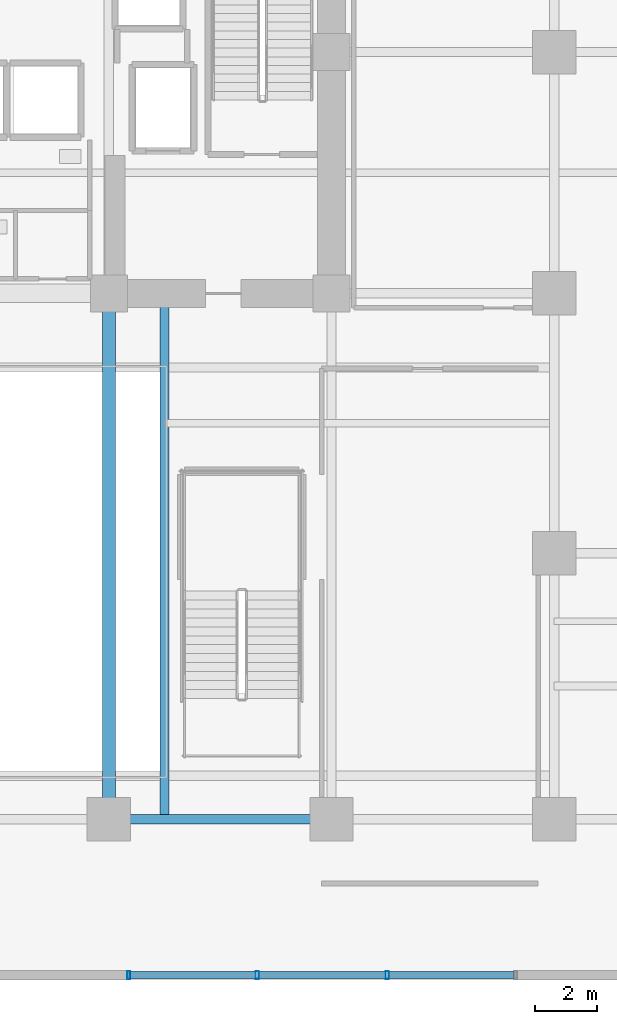
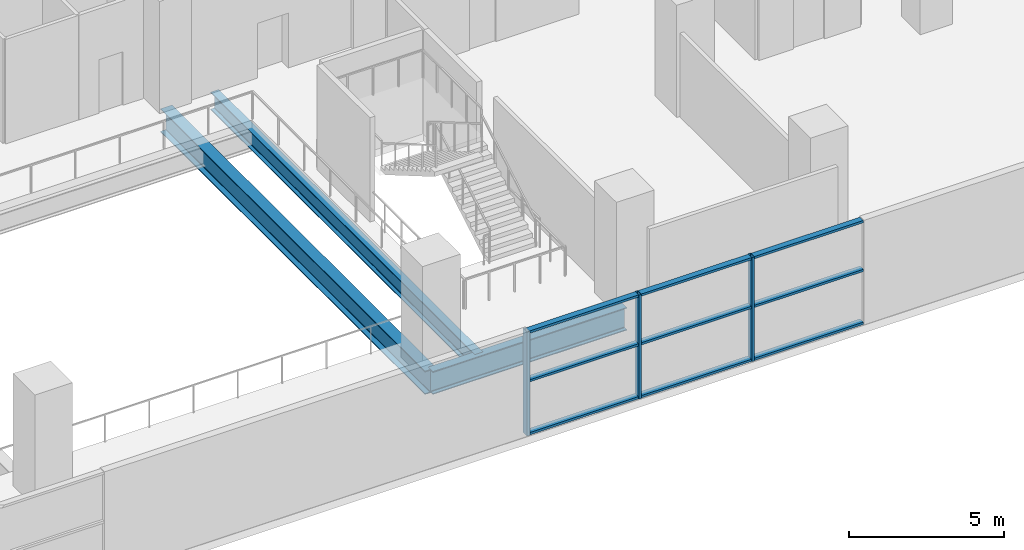
# One storey, part 5 of 21: 12 members, 3 beams, 1 element without a shape of its own.
"""IFC4 building model written with IfcOpenShell, lengths in metres."""

from ifc_helpers import new_model, si_unit, direction, frame, origin, origin_2d, place, context, subcontext, project, spatial, hollow_rectangle, i_section, extrude, source, transform, mapped, material, layer, layer_set, material_profile, profile_set, type_object, element, aggregate, save


model = new_model("IFC4")

# Units and contexts
model_context = context("Model", 3, precision=1e-05, world=origin(), true_north=direction((0.0, 1.0)))
body_context = subcontext(model_context, "Body", "Model", "MODEL_VIEW")
ifc_project = project(units=[si_unit("LENGTHUNIT", "METRE"), si_unit("AREAUNIT", "SQUARE_METRE"), si_unit("VOLUMEUNIT", "CUBIC_METRE"), si_unit("PLANEANGLEUNIT", "RADIAN"), si_unit("MASSUNIT", "GRAM", prefix="KILO")], contexts=[model_context])

# Site, building, storey
site_placement = place(None, origin())
site = spatial("IfcSite", under=ifc_project, at=site_placement, CompositionType="ELEMENT")
building_placement = place(site_placement, origin())
building = spatial("IfcBuilding", under=site, at=building_placement, Name="Zarnakvel Exchange Tower", CompositionType="ELEMENT")
storey_placement = place(building_placement, frame((0.0, 0.0, 18.199951171875)))
storey = spatial("IfcBuildingStorey", under=building, at=storey_placement, Name="L04", CompositionType="ELEMENT", Elevation=18.199951171875)

# Beams
ifc_material_1 = material(Name="Steel S355", Category="steel")
ifc_material_profile_1 = material_profile(ifc_material_1, i_section(OverallWidth=0.300048828125, OverallDepth=0.89990234375, WebThickness=0.0185546875, FlangeThickness=0.034912109375, FilletRadius=0.030029296875, at=origin_2d()))
ifc_profile_set_1 = profile_set([ifc_material_profile_1], Name="Steel S355")
beam_type_1 = type_object("IfcBeamType", Name="G-01", PredefinedType="BEAM", material=ifc_profile_set_1)
beam_1_placement = place(storey_placement, frame((7.199951171875, -18.199951171875, -0.75), z_axis=(1.0, 0.0, 0.0), x_axis=(0.0, 1.0, 0.0)))
element("IfcBeam", 1, at=beam_1_placement, inside=storey, type_object=beam_type_1, Name="L04 Primary E-W Girder Y=-18.2", PredefinedType="BEAM", context=body_context, shape_type="SweptSolid", body=[
    extrude(i_section(OverallWidth=0.300048828125, OverallDepth=0.89990234375, WebThickness=0.0185546875, FlangeThickness=0.034912109375, FilletRadius=0.030029296875, at=origin_2d()), origin(), (0.0, 0.0, 1.0), 7.199951171875),
])
ifc_material_profile_2 = material_profile(ifc_material_1, i_section(OverallWidth=0.300048828125, OverallDepth=0.699951171875, WebThickness=0.01708984375, FlangeThickness=0.031982421875, FilletRadius=0.027099609375, at=origin_2d()))
ifc_profile_set_2 = profile_set([ifc_material_profile_2], Name="Steel S355")
beam_type_2 = type_object("IfcBeamType", Name="G-03", PredefinedType="BEAM", material=ifc_profile_set_2)
beam_2_placement = place(storey_placement, frame((9.0, -18.199951171875, -0.64990234375), z_axis=(0.0, 1.0, 0.0), x_axis=(-1.0, 0.0, 0.0)))
element("IfcBeam", 2, at=beam_2_placement, inside=storey, type_object=beam_type_2, Name="L04 Atrium East Edge Girder", PredefinedType="BEAM", context=body_context, shape_type="SweptSolid", body=[
    extrude(i_section(OverallWidth=0.300048828125, OverallDepth=0.699951171875, WebThickness=0.01708984375, FlangeThickness=0.031982421875, FilletRadius=0.027099609375, at=origin_2d()), origin(), (0.0, 0.0, 1.0), 17.0),
])
ifc_material_profile_3 = material_profile(ifc_material_1, i_section(OverallWidth=0.42041015625, OverallDepth=0.9208984375, WebThickness=0.021484375, FlangeThickness=0.03662109375, FilletRadius=0.024169921875, at=origin_2d()))
ifc_profile_set_3 = profile_set([ifc_material_profile_3], Name="Steel S355")
beam_type_3 = type_object("IfcBeamType", Name="TB-01", PredefinedType="T_BEAM", material=ifc_profile_set_3)
beam_3_placement = place(storey_placement, frame((7.199951171875, -18.199951171875, -0.760498046875), z_axis=(0.0, 1.0, 0.0), x_axis=(-1.0, 0.0, 0.0)))
element("IfcBeam", 3, at=beam_3_placement, inside=storey, type_object=beam_type_3, Name="L04 Primary N-S Girder X=+7.2", PredefinedType="T_BEAM", context=body_context, shape_type="SweptSolid", body=[
    extrude(i_section(OverallWidth=0.42041015625, OverallDepth=0.9208984375, WebThickness=0.021484375, FlangeThickness=0.03662109375, FilletRadius=0.024169921875, at=origin_2d()), origin(), (0.0, 0.0, 1.0), 17.0),
])

# Curtain wall, members
ifc_material_2 = material(Name="Architectural Bronze Anodised Aluminium", Category="aluminium")
ifc_layer = layer(ifc_material_2, 0.260009765625)
ifc_layer_set = layer_set([ifc_layer], Name="Architectural Bronze Anodised Aluminium")
curtain_wall_type = type_object("IfcCurtainWallType", Name="CW-01", PredefinedType="NOTDEFINED", material=ifc_layer_set)
curtain_wall_placement = place(storey_placement, origin())
curtain_wall = element("IfcCurtainWall", 4, at=curtain_wall_placement, inside=storey, type_object=curtain_wall_type, Name="L04 Curtain Wall CW-L04-S2 (CW-01)", PredefinedType="NOTDEFINED")
ifc_material_profile_4 = material_profile(ifc_material_2, hollow_rectangle(XDim=0.219970703125, YDim=0.090087890625, WallThickness=0.0048828125, at=origin_2d()))
ifc_profile_set_4 = profile_set([ifc_material_profile_4], Name="Architectural Bronze Anodised Aluminium")
member_type_1 = type_object("IfcMemberType", Name="CWT-01", PredefinedType="USERDEFINED", material=ifc_profile_set_4)
shared_shape_1 = source(origin(), body_context, "Body", "SweptSolid", [
    extrude(hollow_rectangle(XDim=0.219970703125, YDim=0.090087890625, WallThickness=0.0048828125, at=origin_2d()), origin(), (0.0, 0.0, 1.0), 4.050048828125),
])
member_1_placement = place(storey_placement, frame((7.89990234375, -23.239990234375, 0.045166015625), z_axis=(1.0, 0.0, 0.0), x_axis=(0.0, 1.0, 0.0)))
member_1 = element("IfcMember", 5, at=member_1_placement, type_object=member_type_1, Name="CW-01 transom 1.1", ObjectType="TRANSOM", PredefinedType="USERDEFINED", context=body_context, shape_type="MappedRepresentation", body=[
    mapped(shared_shape_1, transform((0.0, 0.0, 0.0), x_axis=(1.0, 0.0, 0.0), y_axis=(0.0, 1.0, 0.0), z_axis=(0.0, 0.0, 1.0), scale=1.0)),
])
member_2_placement = place(storey_placement, frame((7.89990234375, -23.239990234375, 2.12158203125), z_axis=(1.0, 0.0, 0.0), x_axis=(0.0, 1.0, 0.0)))
member_2 = element("IfcMember", 6, at=member_2_placement, type_object=member_type_1, Name="CW-01 transom 1.2", ObjectType="TRANSOM", PredefinedType="USERDEFINED", context=body_context, shape_type="MappedRepresentation", body=[
    mapped(shared_shape_1, transform((0.0, 0.0, 0.0), x_axis=(1.0, 0.0, 0.0), y_axis=(0.0, 1.0, 0.0), z_axis=(0.0, 0.0, 1.0), scale=1.0)),
])
member_3_placement = place(storey_placement, frame((7.89990234375, -23.239990234375, 4.03515625), z_axis=(1.0, 0.0, 0.0), x_axis=(0.0, 1.0, 0.0)))
member_3 = element("IfcMember", 7, at=member_3_placement, type_object=member_type_1, Name="CW-01 transom 1.3", ObjectType="TRANSOM", PredefinedType="USERDEFINED", context=body_context, shape_type="MappedRepresentation", body=[
    mapped(shared_shape_1, transform((0.0, 0.0, 0.0), x_axis=(1.0, 0.0, 0.0), y_axis=(0.0, 1.0, 0.0), z_axis=(0.0, 0.0, 1.0), scale=1.0)),
])
member_4_placement = place(storey_placement, frame((16.25, -23.239990234375, 0.045166015625), z_axis=(1.0, 0.0, 0.0), x_axis=(0.0, 1.0, 0.0)))
member_4 = element("IfcMember", 8, at=member_4_placement, type_object=member_type_1, Name="CW-01 transom 3.1", ObjectType="TRANSOM", PredefinedType="USERDEFINED", context=body_context, shape_type="MappedRepresentation", body=[
    mapped(shared_shape_1, transform((0.0, 0.0, 0.0), x_axis=(1.0, 0.0, 0.0), y_axis=(0.0, 1.0, 0.0), z_axis=(0.0, 0.0, 1.0), scale=1.0)),
])
member_5_placement = place(storey_placement, frame((16.25, -23.239990234375, 2.12158203125), z_axis=(1.0, 0.0, 0.0), x_axis=(0.0, 1.0, 0.0)))
member_5 = element("IfcMember", 9, at=member_5_placement, type_object=member_type_1, Name="CW-01 transom 3.2", ObjectType="TRANSOM", PredefinedType="USERDEFINED", context=body_context, shape_type="MappedRepresentation", body=[
    mapped(shared_shape_1, transform((0.0, 0.0, 0.0), x_axis=(1.0, 0.0, 0.0), y_axis=(0.0, 1.0, 0.0), z_axis=(0.0, 0.0, 1.0), scale=1.0)),
])
member_6_placement = place(storey_placement, frame((16.25, -23.239990234375, 4.03515625), z_axis=(1.0, 0.0, 0.0), x_axis=(0.0, 1.0, 0.0)))
member_6 = element("IfcMember", 10, at=member_6_placement, type_object=member_type_1, Name="CW-01 transom 3.3", ObjectType="TRANSOM", PredefinedType="USERDEFINED", context=body_context, shape_type="MappedRepresentation", body=[
    mapped(shared_shape_1, transform((0.0, 0.0, 0.0), x_axis=(1.0, 0.0, 0.0), y_axis=(0.0, 1.0, 0.0), z_axis=(0.0, 0.0, 1.0), scale=1.0)),
])
shared_shape_2 = source(origin(), body_context, "Body", "SweptSolid", [
    extrude(hollow_rectangle(XDim=0.219970703125, YDim=0.090087890625, WallThickness=0.0048828125, at=origin_2d()), origin(), (0.0, 0.0, 1.0), 4.099853515625),
])
member_7_placement = place(storey_placement, frame((12.050048828125, -23.239990234375, 0.045166015625), z_axis=(1.0, 0.0, 0.0), x_axis=(0.0, 1.0, 0.0)))
member_7 = element("IfcMember", 11, at=member_7_placement, type_object=member_type_1, Name="CW-01 transom 2.1", ObjectType="TRANSOM", PredefinedType="USERDEFINED", context=body_context, shape_type="MappedRepresentation", body=[
    mapped(shared_shape_2, transform((0.0, 0.0, 0.0), x_axis=(1.0, 0.0, 0.0), y_axis=(0.0, 1.0, 0.0), z_axis=(0.0, 0.0, 1.0), scale=1.0)),
])
member_8_placement = place(storey_placement, frame((12.050048828125, -23.239990234375, 2.12158203125), z_axis=(1.0, 0.0, 0.0), x_axis=(0.0, 1.0, 0.0)))
member_8 = element("IfcMember", 12, at=member_8_placement, type_object=member_type_1, Name="CW-01 transom 2.2", ObjectType="TRANSOM", PredefinedType="USERDEFINED", context=body_context, shape_type="MappedRepresentation", body=[
    mapped(shared_shape_2, transform((0.0, 0.0, 0.0), x_axis=(1.0, 0.0, 0.0), y_axis=(0.0, 1.0, 0.0), z_axis=(0.0, 0.0, 1.0), scale=1.0)),
])
member_9_placement = place(storey_placement, frame((12.050048828125, -23.239990234375, 4.03515625), z_axis=(1.0, 0.0, 0.0), x_axis=(0.0, 1.0, 0.0)))
member_9 = element("IfcMember", 13, at=member_9_placement, type_object=member_type_1, Name="CW-01 transom 2.3", ObjectType="TRANSOM", PredefinedType="USERDEFINED", context=body_context, shape_type="MappedRepresentation", body=[
    mapped(shared_shape_2, transform((0.0, 0.0, 0.0), x_axis=(1.0, 0.0, 0.0), y_axis=(0.0, 1.0, 0.0), z_axis=(0.0, 0.0, 1.0), scale=1.0)),
])
ifc_material_profile_5 = material_profile(ifc_material_2, hollow_rectangle(XDim=0.260009765625, YDim=0.10009765625, WallThickness=0.006103515625, at=origin_2d()))
ifc_profile_set_5 = profile_set([ifc_material_profile_5], Name="Architectural Bronze Anodised Aluminium")
member_type_2 = type_object("IfcMemberType", Name="CWM-01", PredefinedType="MULLION", material=ifc_profile_set_5)
shared_shape_3 = source(origin(), body_context, "Body", "SweptSolid", [
    extrude(hollow_rectangle(XDim=0.260009765625, YDim=0.10009765625, WallThickness=0.006103515625, at=origin_2d()), origin(), (0.0, 0.0, 1.0), 4.080078125),
])
member_10_placement = place(storey_placement, frame((7.85009765625, -23.239990234375, 0.0), z_axis=(0.0, 0.0, 1.0), x_axis=(0.0, 1.0, 0.0)))
member_10 = element("IfcMember", 14, at=member_10_placement, type_object=member_type_2, Name="CW-01 mullion 1", PredefinedType="MULLION", context=body_context, shape_type="MappedRepresentation", body=[
    mapped(shared_shape_3, transform((0.0, 0.0, 0.0), x_axis=(1.0, 0.0, 0.0), y_axis=(0.0, 1.0, 0.0), z_axis=(0.0, 0.0, 1.0), scale=1.0)),
])
member_11_placement = place(storey_placement, frame((12.0, -23.239990234375, 0.0), z_axis=(0.0, 0.0, 1.0), x_axis=(0.0, 1.0, 0.0)))
member_11 = element("IfcMember", 15, at=member_11_placement, type_object=member_type_2, Name="CW-01 mullion 2", PredefinedType="MULLION", context=body_context, shape_type="MappedRepresentation", body=[
    mapped(shared_shape_3, transform((0.0, 0.0, 0.0), x_axis=(1.0, 0.0, 0.0), y_axis=(0.0, 1.0, 0.0), z_axis=(0.0, 0.0, 1.0), scale=1.0)),
])
member_12_placement = place(storey_placement, frame((16.199951171875, -23.239990234375, 0.0), z_axis=(0.0, 0.0, 1.0), x_axis=(0.0, 1.0, 0.0)))
member_12 = element("IfcMember", 16, at=member_12_placement, type_object=member_type_2, Name="CW-01 mullion 3", PredefinedType="MULLION", context=body_context, shape_type="MappedRepresentation", body=[
    mapped(shared_shape_3, transform((0.0, 0.0, 0.0), x_axis=(1.0, 0.0, 0.0), y_axis=(0.0, 1.0, 0.0), z_axis=(0.0, 0.0, 1.0), scale=1.0)),
])
aggregate(curtain_wall, [member_10, member_11, member_12, member_1, member_2, member_3, member_7, member_8, member_9, member_4, member_5, member_6])

save(model, "model.ifc")
